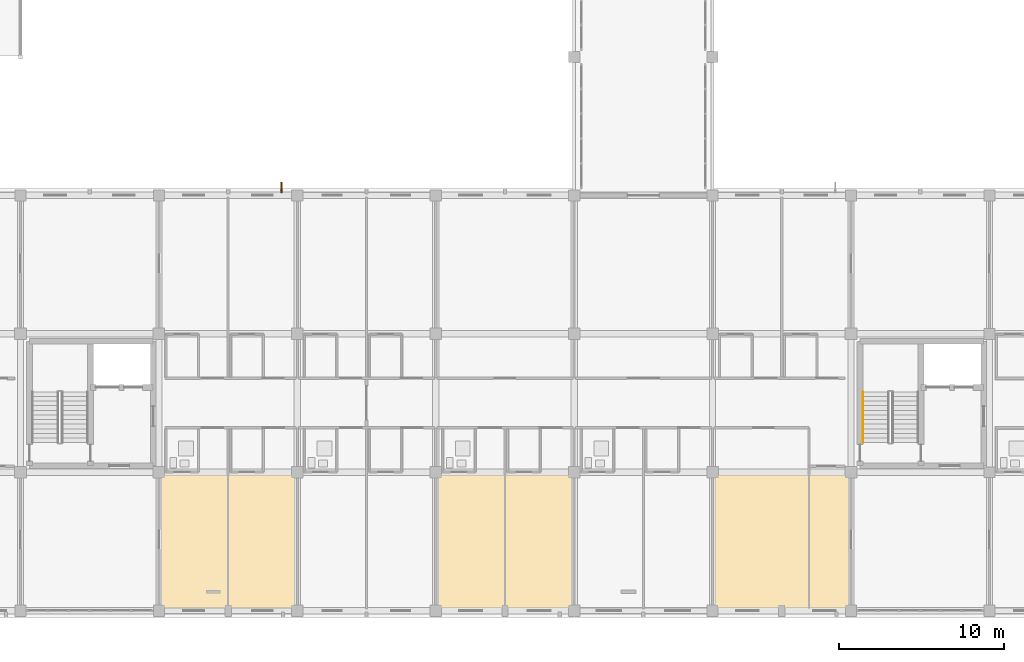
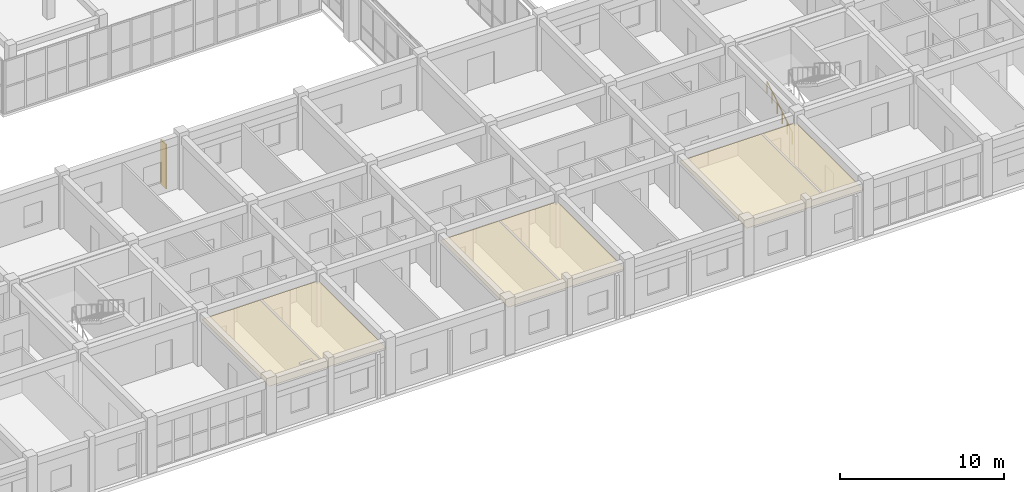
# One storey, part 130 of 140: 3 coverings, 1 railing, 1 shading device.
"""IFC4 building model written with IfcOpenShell, lengths in metres."""

from ifc_helpers import new_model, si_unit, direction, frame, origin, origin_2d, place, context, subcontext, project, spatial, polyline, rectangle, circle, outline, extrude, material, layer, layer_set, type_object, element, save


model = new_model("IFC4")

# Units and contexts
model_context = context("Model", 3, precision=1e-05, world=origin(), true_north=direction((0.0, 1.0)))
body_context = subcontext(model_context, "Body", "Model", "MODEL_VIEW")
ifc_project = project(units=[si_unit("LENGTHUNIT", "METRE"), si_unit("AREAUNIT", "SQUARE_METRE"), si_unit("VOLUMEUNIT", "CUBIC_METRE"), si_unit("PLANEANGLEUNIT", "RADIAN"), si_unit("MASSUNIT", "GRAM", prefix="KILO")], contexts=[model_context])

# Site, building, storey
site_placement = place(None, origin())
site = spatial("IfcSite", under=ifc_project, at=site_placement, CompositionType="ELEMENT")
building_placement = place(site_placement, origin())
building = spatial("IfcBuilding", under=site, at=building_placement, Name="Trelvath General Hospital", CompositionType="ELEMENT")
storey_placement = place(building_placement, frame((0.0, 0.0, 16.199951171875)))
storey = spatial("IfcBuildingStorey", under=building, at=storey_placement, Name="L04", CompositionType="ELEMENT", Elevation=16.199951171875)

# Coverings
ifc_material_1 = material(Name="Hygienic acoustic ceiling tile")
ifc_layer = layer(ifc_material_1, 0.02490234375)
ifc_layer_set = layer_set([ifc_layer], Name="Hygienic acoustic ceiling tile")
covering_type = type_object("IfcCoveringType", Name="Ceiling ClinicalAcoustic", PredefinedType="CEILING", material=ifc_layer_set)
covering_1_placement = place(storey_placement, frame((0.0, 0.0, 3.179931640625)))
element("IfcCovering", 1, at=covering_1_placement, inside=storey, type_object=covering_type, Name="Clinical Acoustic Ceiling L04-51", PredefinedType="CEILING", context=body_context, shape_type="SweptSolid", body=[
    extrude(outline(polyline([(50.5, 0.10009765625), (58.699951171875, 0.10009765625), (58.699951171875, 8.320068359375), (50.5, 8.320068359375), (50.5, 0.10009765625)])), origin(), (0.0, 0.0, 1.0), 0.025146484375),
])
covering_2_placement = place(storey_placement, frame((0.0, 0.0, 3.179931640625)))
element("IfcCovering", 2, at=covering_2_placement, inside=storey, type_object=covering_type, Name="Clinical Acoustic Ceiling L04-52", PredefinedType="CEILING", context=body_context, shape_type="SweptSolid", body=[
    extrude(outline(polyline([(67.300048828125, 0.10009765625), (75.5, 0.10009765625), (75.5, 8.320068359375), (67.300048828125, 8.320068359375), (67.300048828125, 0.10009765625)])), origin(), (0.0, 0.0, 1.0), 0.025146484375),
])
covering_3_placement = place(storey_placement, frame((0.0, 0.0, 3.179931640625)))
element("IfcCovering", 3, at=covering_3_placement, inside=storey, type_object=covering_type, Name="Clinical Acoustic Ceiling L04-53", PredefinedType="CEILING", context=body_context, shape_type="SweptSolid", body=[
    extrude(outline(polyline([(84.10009765625, 0.10009765625), (92.300048828125, 0.10009765625), (92.300048828125, 8.320068359375), (84.10009765625, 8.320068359375), (84.10009765625, 0.10009765625)])), origin(), (0.0, 0.0, 1.0), 0.025146484375),
])

# Railing
ifc_material_2 = material(Name="Brushed stainless steel", Category="steel")
railing_type = type_object("IfcRailingType", Name="Handrail Stair900", PredefinedType="HANDRAIL", material=ifc_material_2)
railing_placement = place(storey_placement, frame((93.1298828125, 10.199951171875, 0.175048828125)))
element("IfcRailing", 4, at=railing_placement, inside=storey, type_object=railing_type, Name="Stair Rail ST5 L04 F1 L 181", PredefinedType="HANDRAIL", context=body_context, shape_type="SweptSolid", body=[
    extrude(circle(Radius=0.02392578125, at=origin_2d()), frame((0.0, 0.0, 0.8759765625), z_axis=(0.0, 0.847998304005, 0.529998940003), x_axis=(-1.0, 0.0, 0.0)), (0.0, 0.0, 1.0), 3.632080078125),
    extrude(circle(Radius=0.02099609375, at=origin_2d()), origin(), (0.0, 0.0, 1.0), 0.849853515625),
    extrude(circle(Radius=0.02099609375, at=origin_2d()), frame((0.0, 0.615966796875, 0.385009765625)), (0.0, 0.0, 1.0), 0.849853515625),
    extrude(circle(Radius=0.02099609375, at=origin_2d()), frame((0.0, 1.23193359375, 0.77001953125)), (0.0, 0.0, 1.0), 0.849853515625),
    extrude(circle(Radius=0.02099609375, at=origin_2d()), frame((0.0, 1.84814453125, 1.155029296875)), (0.0, 0.0, 1.0), 0.849853515625),
    extrude(circle(Radius=0.02099609375, at=origin_2d()), frame((0.0, 2.464111328125, 1.5400390625)), (0.0, 0.0, 1.0), 0.849853515625),
    extrude(circle(Radius=0.02099609375, at=origin_2d()), frame((0.0, 3.080078125, 1.925048828125)), (0.0, 0.0, 1.0), 0.849853515625),
])

# Shading device
ifc_material_3 = material(Name="Anodised aluminium", Category="aluminium")
shading_device_type = type_object("IfcShadingDeviceType", Name="SolarScreen PerforatedAlu", PredefinedType="JALOUSIE", material=ifc_material_3)
shading_device_placement = place(storey_placement, frame((57.8466796875, 25.679931640625, 0.0), z_axis=(0.0, 0.0, 1.0), x_axis=(0.0, 1.0, 0.0)))
element("IfcShadingDevice", 5, at=shading_device_placement, inside=storey, type_object=shading_device_type, Name="Solar Brise-Soleil Screen L04-74", PredefinedType="JALOUSIE", context=body_context, shape_type="SweptSolid", body=[
    extrude(rectangle(XDim=0.64990234375, YDim=0.080078125, at=origin_2d()), origin(), (0.0, 0.0, 1.0), 3.320068359375),
])

save(model, "model.ifc")
